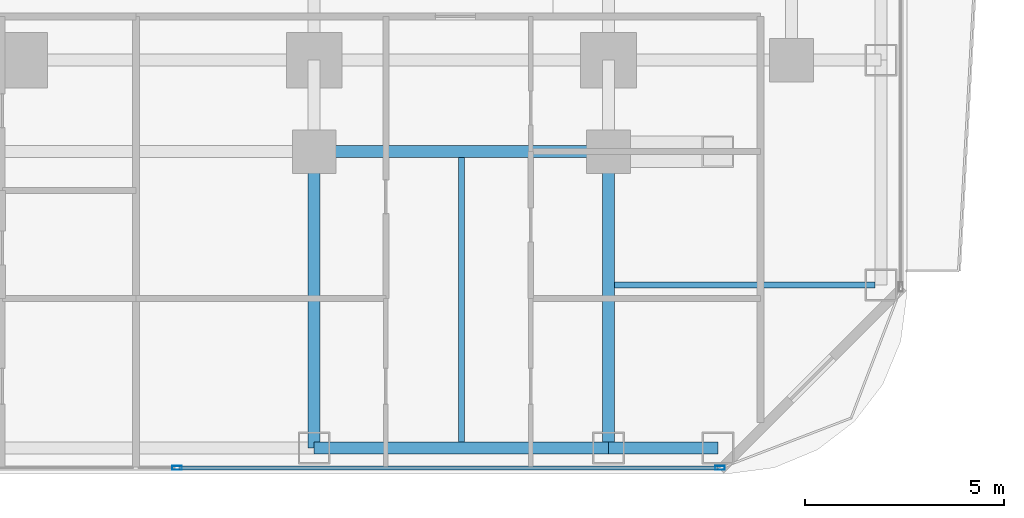
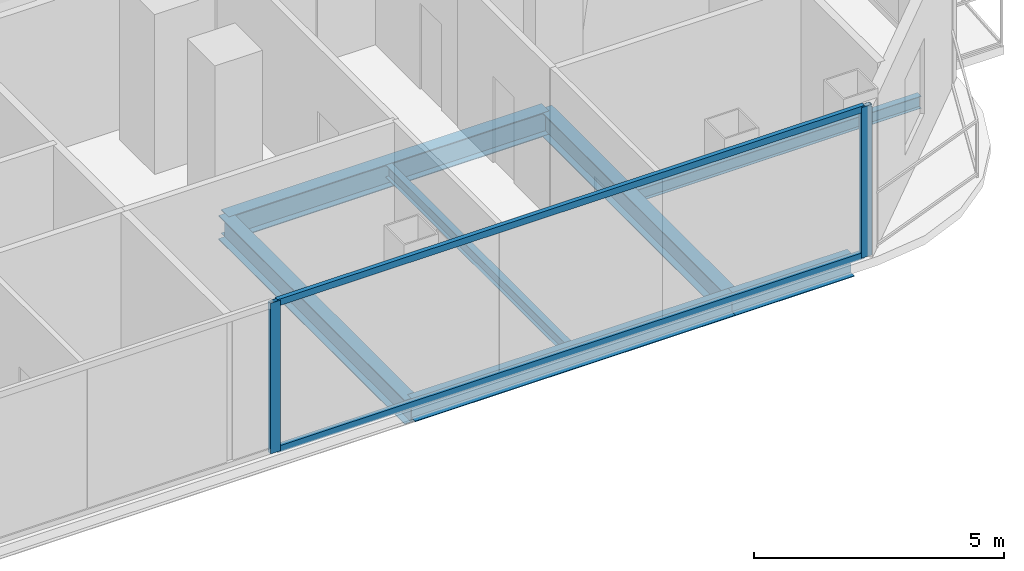
# One storey, part 8 of 33: 7 beams, 4 members, 1 element without a shape of its own.
"""IFC4 building model written with IfcOpenShell, lengths in metres."""

from ifc_helpers import new_model, si_unit, direction, frame, origin, origin_2d, place, context, subcontext, project, spatial, hollow_rectangle, i_section, extrude, material, layer, layer_set, material_profile, profile_set, type_object, element, aggregate, save


model = new_model("IFC4")

# Units and contexts
model_context = context("Model", 3, precision=1e-05, world=origin(), true_north=direction((0.0, 1.0)))
body_context = subcontext(model_context, "Body", "Model", "MODEL_VIEW")
ifc_project = project(units=[si_unit("LENGTHUNIT", "METRE"), si_unit("AREAUNIT", "SQUARE_METRE"), si_unit("VOLUMEUNIT", "CUBIC_METRE"), si_unit("PLANEANGLEUNIT", "RADIAN"), si_unit("MASSUNIT", "GRAM", prefix="KILO")], contexts=[model_context])

# Site, building, storey
site_placement = place(None, origin())
site = spatial("IfcSite", under=ifc_project, at=site_placement, CompositionType="ELEMENT")
building_placement = place(site_placement, origin())
building = spatial("IfcBuilding", under=site, at=building_placement, Name="Khorvyn Point Tower", CompositionType="ELEMENT")
storey_placement = place(building_placement, frame((0.0, 0.0, 65.699951171875)))
storey = spatial("IfcBuildingStorey", under=building, at=storey_placement, Name="L17", CompositionType="ELEMENT", Elevation=65.699951171875)

# Curtain wall, members
ifc_material_1 = material(Name="Anodised aluminium 6063-T6 and laminated Low-E glass", Category="aluminium")
ifc_layer = layer(ifc_material_1, 0.18994140625)
ifc_layer_set = layer_set([ifc_layer], Name="Stick-Built Finned Residential Curtain Wall CW-SYS-02")
curtain_wall_type = type_object("IfcCurtainWallType", Name="Stick-Built Finned Residential Curtain Wall CW-SYS-02", PredefinedType="NOTDEFINED", material=ifc_layer_set)
curtain_wall_placement = place(storey_placement, origin())
curtain_wall = element("IfcCurtainWall", 1, at=curtain_wall_placement, inside=storey, type_object=curtain_wall_type, Name="Curtain Wall", PredefinedType="NOTDEFINED")
ifc_material_2 = material(Name="Anodised aluminium 6063-T6", Category="aluminium")
ifc_material_profile_1 = material_profile(ifc_material_2, hollow_rectangle(XDim=0.10009765625, YDim=0.239990234375, WallThickness=0.0048828125, at=origin_2d()))
ifc_profile_set_1 = profile_set([ifc_material_profile_1], Name="Anodised aluminium 6063-T6 ALU-MUL-100x240")
member_type_1 = type_object("IfcMemberType", Name="Anodised Aluminium 6063-T6 Mullion ALU-MUL-100x240", PredefinedType="MULLION", material=ifc_profile_set_1)
member_1_placement = place(storey_placement, frame((17.60009765625, -25.050048828125, 0.0), z_axis=(0.0, 0.0, 1.0), x_axis=(0.0, -1.0, 0.0)))
member_1 = element("IfcMember", 2, at=member_1_placement, type_object=member_type_1, Name="Transom", PredefinedType="MULLION", context=body_context, shape_type="SweptSolid", body=[
    extrude(hollow_rectangle(XDim=0.10009765625, YDim=0.239990234375, WallThickness=0.0048828125, at=origin_2d()), origin(), (0.0, 0.0, 1.0), 3.679931640625),
])
member_2_placement = place(storey_placement, frame((3.949951171875, -25.050048828125, 0.0), z_axis=(0.0, 0.0, 1.0), x_axis=(0.0, -1.0, 0.0)))
member_2 = element("IfcMember", 3, at=member_2_placement, type_object=member_type_1, Name="Transom", PredefinedType="MULLION", context=body_context, shape_type="SweptSolid", body=[
    extrude(hollow_rectangle(XDim=0.10009765625, YDim=0.239990234375, WallThickness=0.0048828125, at=origin_2d()), origin(), (0.0, 0.0, 1.0), 3.679931640625),
])
ifc_material_profile_2 = material_profile(ifc_material_2, hollow_rectangle(XDim=0.10009765625, YDim=0.159912109375, WallThickness=0.00439453125, at=origin_2d()))
ifc_profile_set_2 = profile_set([ifc_material_profile_2], Name="Anodised aluminium 6063-T6 ALU-TRN-100x160")
member_type_2 = type_object("IfcMemberType", Name="Anodised Aluminium 6063-T6 Transom ALU-TRN-100x160", PredefinedType="USERDEFINED", material=ifc_profile_set_2)
member_3_placement = place(storey_placement, frame((17.550048828125, -25.050048828125, 0.050048828125), z_axis=(-1.0, 0.0, 0.0), x_axis=(0.0, -1.0, 0.0)))
member_3 = element("IfcMember", 4, at=member_3_placement, type_object=member_type_2, Name="Transom", ObjectType="TRANSOM", PredefinedType="USERDEFINED", context=body_context, shape_type="SweptSolid", body=[
    extrude(hollow_rectangle(XDim=0.10009765625, YDim=0.159912109375, WallThickness=0.00439453125, at=origin_2d()), origin(), (0.0, 0.0, 1.0), 13.550048828125),
])
member_4_placement = place(storey_placement, frame((17.550048828125, -25.050048828125, 3.630126953125), z_axis=(-1.0, 0.0, 0.0), x_axis=(0.0, -1.0, 0.0)))
member_4 = element("IfcMember", 5, at=member_4_placement, type_object=member_type_2, Name="Transom", ObjectType="TRANSOM", PredefinedType="USERDEFINED", context=body_context, shape_type="SweptSolid", body=[
    extrude(hollow_rectangle(XDim=0.10009765625, YDim=0.159912109375, WallThickness=0.00439453125, at=origin_2d()), origin(), (0.0, 0.0, 1.0), 13.550048828125),
])
aggregate(curtain_wall, [member_1, member_2, member_3, member_4])

# Beams
ifc_material_3 = material(Name="Steel S355", Category="steel")
ifc_material_profile_3 = material_profile(ifc_material_3, i_section(OverallWidth=0.300048828125, OverallDepth=0.587890625, WebThickness=0.011962890625, FlangeThickness=0.02001953125, at=origin_2d()))
ifc_profile_set_3 = profile_set([ifc_material_profile_3], Name="Steel S355 H588x300x12x20")
beam_type_1 = type_object("IfcBeamType", Name="Steel S355 Beam H588x300x12x20", PredefinedType="BEAM", material=ifc_profile_set_3)
beam_1_placement = place(storey_placement, frame((7.39990234375, -17.10009765625, -0.513916015625), z_axis=(1.0, 0.0, 0.0), x_axis=(0.0, 1.0, 0.0)))
element("IfcBeam", 6, at=beam_1_placement, inside=storey, type_object=beam_type_1, Name="Beam", PredefinedType="BEAM", context=body_context, shape_type="SweptSolid", body=[
    extrude(i_section(OverallWidth=0.300048828125, OverallDepth=0.587890625, WebThickness=0.011962890625, FlangeThickness=0.02001953125, at=origin_2d()), origin(), (0.0, 0.0, 1.0), 7.400146484375),
])
for number, where, z_axis, x_axis, name in (
    (7, (14.800048828125, -24.550048828125, -0.513916015625), (0.0, 1.0, 0.0), (-1.0, 0.0, 0.0), "Beam"),
    (8, (7.39990234375, -24.550048828125, -0.513916015625), (0.0, 1.0, 0.0), (-1.0, 0.0, 0.0), "Beam"),
):
    element("IfcBeam", number, at=place(storey_placement, frame(where, z_axis=z_axis, x_axis=x_axis)), inside=storey, type_object=beam_type_1, Name=name, PredefinedType="BEAM", context=body_context, shape_type="SweptSolid", body=[
        extrude(i_section(OverallWidth=0.300048828125, OverallDepth=0.587890625, WebThickness=0.011962890625, FlangeThickness=0.02001953125, at=origin_2d()), origin(), (0.0, 0.0, 1.0), 7.449951171875),
    ])
ifc_material_profile_4 = material_profile(ifc_material_3, i_section(OverallWidth=0.14990234375, OverallDepth=0.300048828125, WebThickness=0.006591796875, FlangeThickness=0.009033203125, at=origin_2d()))
ifc_profile_set_4 = profile_set([ifc_material_profile_4], Name="Steel S355 H300x150x6.5x9")
beam_type_2 = type_object("IfcBeamType", Name="Steel S355 Joist H300x150x6.5x9", PredefinedType="JOIST", material=ifc_profile_set_4)
beam_2_placement = place(storey_placement, frame((11.10009765625, -24.39990234375, -0.369873046875), z_axis=(0.0, 1.0, 0.0), x_axis=(-1.0, 0.0, 0.0)))
element("IfcBeam", 9, at=beam_2_placement, inside=storey, type_object=beam_type_2, Name="Beam", PredefinedType="JOIST", context=body_context, shape_type="SweptSolid", body=[
    extrude(i_section(OverallWidth=0.14990234375, OverallDepth=0.300048828125, WebThickness=0.006591796875, FlangeThickness=0.009033203125, at=origin_2d()), origin(), (0.0, 0.0, 1.0), 7.14990234375),
])
beam_3_placement = place(storey_placement, frame((14.949951171875, -20.449951171875, -0.369873046875), z_axis=(1.0, 0.0, 0.0), x_axis=(0.0, 1.0, 0.0)))
element("IfcBeam", 10, at=beam_3_placement, inside=storey, type_object=beam_type_2, Name="Beam", PredefinedType="JOIST", context=body_context, shape_type="SweptSolid", body=[
    extrude(i_section(OverallWidth=0.14990234375, OverallDepth=0.300048828125, WebThickness=0.006591796875, FlangeThickness=0.009033203125, at=origin_2d()), origin(), (0.0, 0.0, 1.0), 6.550048828125),
])
ifc_material_profile_5 = material_profile(ifc_material_3, i_section(OverallWidth=0.300048828125, OverallDepth=0.488037109375, WebThickness=0.010986328125, FlangeThickness=0.01806640625, at=origin_2d()))
ifc_profile_set_5 = profile_set([ifc_material_profile_5], Name="Steel S355 H488x300x11x18")
beam_type_3 = type_object("IfcBeamType", Name="Steel S355 Spandrel H488x300x11x18", PredefinedType="SPANDREL", material=ifc_profile_set_5)
beam_4_placement = place(storey_placement, frame((7.39990234375, -24.550048828125, -0.4638671875), z_axis=(1.0, 0.0, 0.0), x_axis=(0.0, 1.0, 0.0)))
element("IfcBeam", 11, at=beam_4_placement, inside=storey, type_object=beam_type_3, Name="Beam", PredefinedType="SPANDREL", context=body_context, shape_type="SweptSolid", body=[
    extrude(i_section(OverallWidth=0.300048828125, OverallDepth=0.488037109375, WebThickness=0.010986328125, FlangeThickness=0.01806640625, at=origin_2d()), origin(), (0.0, 0.0, 1.0), 7.400146484375),
])
beam_5_placement = place(storey_placement, frame((14.800048828125, -24.550048828125, -0.4638671875), z_axis=(1.0, 0.0, 0.0), x_axis=(0.0, 1.0, 0.0)))
element("IfcBeam", 12, at=beam_5_placement, inside=storey, type_object=beam_type_3, Name="Beam", PredefinedType="SPANDREL", context=body_context, shape_type="SweptSolid", body=[
    extrude(i_section(OverallWidth=0.300048828125, OverallDepth=0.488037109375, WebThickness=0.010986328125, FlangeThickness=0.01806640625, at=origin_2d()), origin(), (0.0, 0.0, 1.0), 2.75),
])

save(model, "model.ifc")
